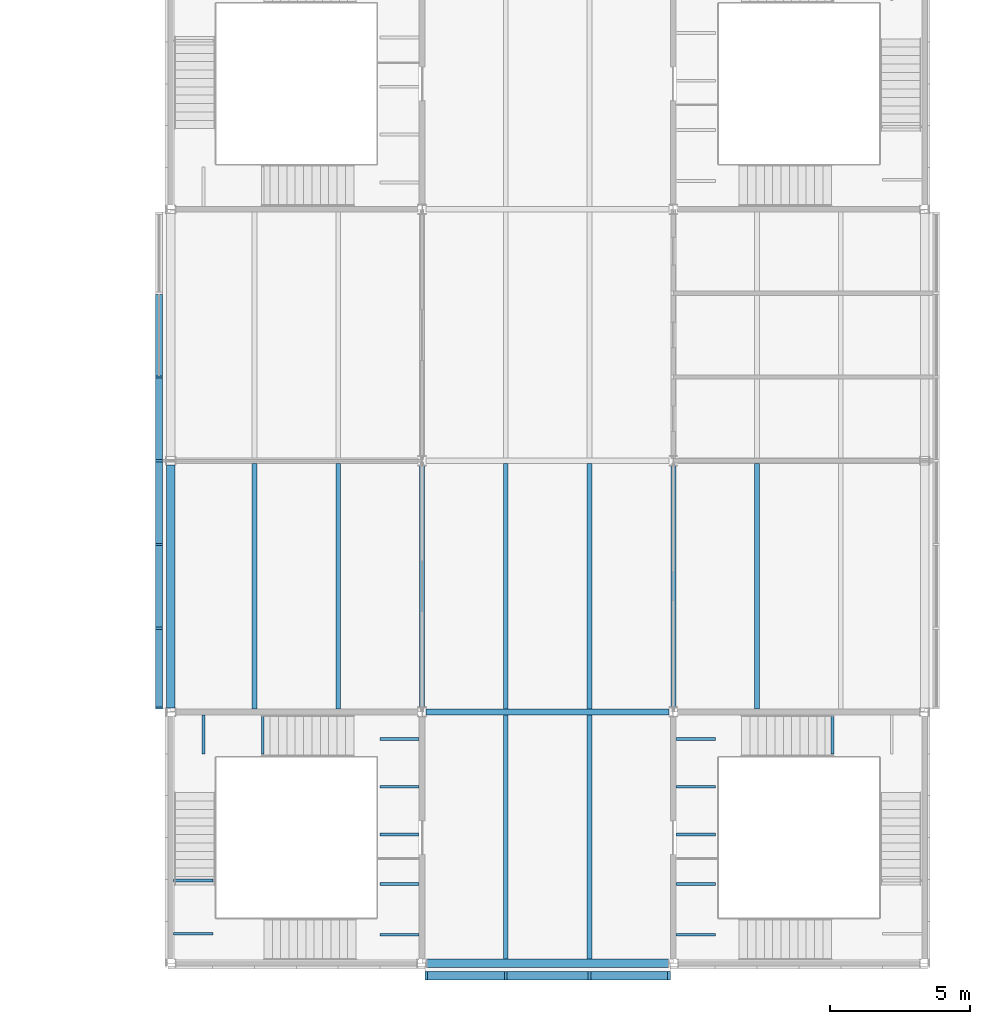
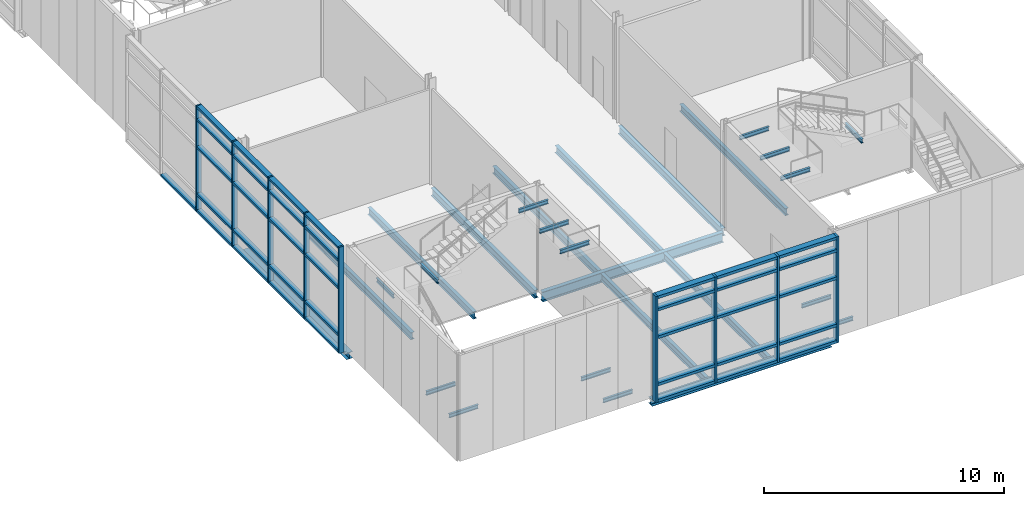
# One storey, part 9 of 52: 45 members, 27 beams, 2 elements without a shape of their own.
"""IFC4 building model written with IfcOpenShell, lengths in metres."""

from ifc_helpers import new_model, si_unit, direction, frame, origin, origin_2d, place, context, subcontext, project, spatial, rectangle, i_section, extrude, material, material_profile, profile_set, type_object, element, aggregate, save


model = new_model("IFC4")

# Units and contexts
model_context = context("Model", 3, precision=1e-05, world=origin(), true_north=direction((0.0, 1.0)))
body_context = subcontext(model_context, "Body", "Model", "MODEL_VIEW")
ifc_project = project(units=[si_unit("LENGTHUNIT", "METRE"), si_unit("AREAUNIT", "SQUARE_METRE"), si_unit("VOLUMEUNIT", "CUBIC_METRE"), si_unit("PLANEANGLEUNIT", "RADIAN"), si_unit("MASSUNIT", "GRAM", prefix="KILO")], contexts=[model_context])

# Site, building, storey
site_placement = place(None, origin())
site = spatial("IfcSite", under=ifc_project, at=site_placement, CompositionType="ELEMENT")
building_placement = place(site_placement, origin())
building = spatial("IfcBuilding", under=site, at=building_placement, Name="Azimuth Sports and Learning Centre", CompositionType="ELEMENT")
storey_placement = place(building_placement, frame((0.0, 0.0, 16.199951171875)))
storey = spatial("IfcBuildingStorey", under=building, at=storey_placement, Name="L03", CompositionType="ELEMENT", Elevation=16.199951171875)

# Beams
ifc_material_1 = material(Name="Steel S355", Category="steel")
ifc_material_profile_1 = material_profile(ifc_material_1, i_section(OverallWidth=0.10009765625, OverallDepth=0.199951171875, WebThickness=0.005615234375, FlangeThickness=0.008544921875, FilletRadius=0.011962890625, at=origin_2d()), Name="IPE 200")
ifc_profile_set_1 = profile_set([ifc_material_profile_1], Name="Steel S355")
beam_type_1 = type_object("IfcBeamType", Name="Beam IPE 200", PredefinedType="BEAM", material=ifc_profile_set_1)
for number, where, z_axis, x_axis, name in (
    (1, (80.89990234375, 1.02001953125, -0.300048828125), (-1.0, 0.0, 0.0), (0.0, -1.0, 0.0), "Landing bracket ST1 L03 1013"),
    (2, (80.89990234375, 2.840087890625, -0.300048828125), (-1.0, 0.0, 0.0), (0.0, -1.0, 0.0), "Landing bracket ST1 L03 1014"),
    (3, (72.10009765625, 1.06005859375, 1.5), (1.0, 0.0, 0.0), (0.0, 1.0, 0.0), "Landing bracket ST1 L03 1015"),
    (4, (72.10009765625, 2.9599609375, 1.5), (1.0, 0.0, 0.0), (0.0, 1.0, 0.0), "Landing bracket ST1 L03 1016"),
    (5, (73.172607421875, 8.89990234375, 3.300048828125), (0.0, -1.0, 0.0), (1.0, 0.0, 0.0), "Landing bracket ST1 L03 1017"),
    (6, (75.297607421875, 8.89990234375, 3.300048828125), (0.0, -1.0, 0.0), (1.0, 0.0, 0.0), "Landing bracket ST1 L03 1018"),
    (7, (80.89990234375, 4.606689453125, 5.10009765625), (-1.0, 0.0, 0.0), (0.0, -1.0, 0.0), "Landing bracket ST1 L03 1019"),
    (8, (80.89990234375, 6.320068359375, 5.10009765625), (-1.0, 0.0, 0.0), (0.0, -1.0, 0.0), "Landing bracket ST1 L03 1020"),
    (9, (80.89990234375, 8.033447265625, 5.10009765625), (-1.0, 0.0, 0.0), (0.0, -1.0, 0.0), "Landing bracket ST1 L03 1021"),
    (10, (90.10009765625, 1.02001953125, -0.300048828125), (1.0, 0.0, 0.0), (0.0, 1.0, 0.0), "Landing bracket ST2 L03 1050"),
    (11, (90.10009765625, 2.840087890625, -0.300048828125), (1.0, 0.0, 0.0), (0.0, 1.0, 0.0), "Landing bracket ST2 L03 1051"),
    (12, (95.702392578125, 8.89990234375, 3.300048828125), (0.0, -1.0, 0.0), (1.0, 0.0, 0.0), "Landing bracket ST2 L03 1054"),
    (13, (90.10009765625, 4.606689453125, 5.10009765625), (1.0, 0.0, 0.0), (0.0, 1.0, 0.0), "Landing bracket ST2 L03 1056"),
    (14, (90.10009765625, 6.320068359375, 5.10009765625), (1.0, 0.0, 0.0), (0.0, 1.0, 0.0), "Landing bracket ST2 L03 1057"),
    (15, (90.10009765625, 8.033447265625, 5.10009765625), (1.0, 0.0, 0.0), (0.0, 1.0, 0.0), "Landing bracket ST2 L03 1058"),
):
    element("IfcBeam", number, at=place(storey_placement, frame(where, z_axis=z_axis, x_axis=x_axis)), inside=storey, type_object=beam_type_1, Name=name, PredefinedType="BEAM", context=body_context, shape_type="SweptSolid", body=[
        extrude(i_section(OverallWidth=0.10009765625, OverallDepth=0.199951171875, WebThickness=0.005615234375, FlangeThickness=0.008544921875, FilletRadius=0.011962890625, at=origin_2d()), origin(), (0.0, 0.0, 1.0), 1.409912109375),
    ])
ifc_material_2 = material(Name="Steel S355", Category="steel")
ifc_material_profile_2 = material_profile(ifc_material_2, i_section(OverallWidth=0.179931640625, OverallDepth=0.39990234375, WebThickness=0.008544921875, FlangeThickness=0.013427734375, FilletRadius=0.02099609375, at=origin_2d()), Name="IPE 400")
ifc_profile_set_2 = profile_set([ifc_material_profile_2], Name="Steel S355")
beam_type_2 = type_object("IfcBeamType", Name="Beam IPE 400", PredefinedType="BEAM", material=ifc_profile_set_2)
for number, where, z_axis, x_axis, name in (
    (16, (81.0, 9.179931640625, -0.349853515625), (0.0, 1.0, 0.0), (-1.0, 0.0, 0.0), "Beam L03 ST 29"),
    (17, (90.0, 9.179931640625, -0.349853515625), (0.0, 1.0, 0.0), (-1.0, 0.0, 0.0), "Beam L03 ST 35"),
):
    element("IfcBeam", number, at=place(storey_placement, frame(where, z_axis=z_axis, x_axis=x_axis)), inside=storey, type_object=beam_type_2, Name=name, PredefinedType="BEAM", context=body_context, shape_type="SweptSolid", body=[
        extrude(i_section(OverallWidth=0.179931640625, OverallDepth=0.39990234375, WebThickness=0.008544921875, FlangeThickness=0.013427734375, FilletRadius=0.02099609375, at=origin_2d()), origin(), (0.0, 0.0, 1.0), 8.64013671875),
    ])
ifc_material_3 = material(Name="Steel S355", Category="steel")
ifc_material_profile_3 = material_profile(ifc_material_3, i_section(OverallWidth=0.199951171875, OverallDepth=0.5, WebThickness=0.01025390625, FlangeThickness=0.01611328125, FilletRadius=0.02099609375, at=origin_2d()), Name="IPE 500")
ifc_profile_set_3 = profile_set([ifc_material_profile_3], Name="Steel S355")
beam_type_3 = type_object("IfcBeamType", Name="Beam IPE 500", PredefinedType="BEAM", material=ifc_profile_set_3)
beam_1_placement = place(storey_placement, frame((81.14990234375, 9.0, -0.39990234375), z_axis=(1.0, 0.0, 0.0), x_axis=(0.0, 1.0, 0.0)))
element("IfcBeam", 18, at=beam_1_placement, inside=storey, type_object=beam_type_3, Name="Beam L03 ST 2", PredefinedType="BEAM", context=body_context, shape_type="SweptSolid", body=[
    extrude(i_section(OverallWidth=0.199951171875, OverallDepth=0.5, WebThickness=0.01025390625, FlangeThickness=0.01611328125, FilletRadius=0.02099609375, at=origin_2d()), origin(), (0.0, 0.0, 1.0), 8.7001953125),
])
ifc_material_4 = material(Name="Steel S355", Category="steel")
ifc_material_profile_4 = material_profile(ifc_material_4, i_section(OverallWidth=0.300048828125, OverallDepth=0.330078125, WebThickness=0.009521484375, FlangeThickness=0.0166015625, FilletRadius=0.027099609375, at=origin_2d()), Name="HEA 340")
ifc_profile_set_4 = profile_set([ifc_material_profile_4], Name="Steel S355")
beam_type_4 = type_object("IfcBeamType", Name="Edge beam HEA 340", PredefinedType="SPANDREL", material=ifc_profile_set_4)
beam_2_placement = place(storey_placement, frame((81.179931640625, 0.0, -0.31494140625), z_axis=(1.0, 0.0, 0.0), x_axis=(0.0, 1.0, 0.0)))
element("IfcBeam", 19, at=beam_2_placement, inside=storey, type_object=beam_type_4, Name="Edge beam L03 ST 1", PredefinedType="SPANDREL", context=body_context, shape_type="SweptSolid", body=[
    extrude(i_section(OverallWidth=0.300048828125, OverallDepth=0.330078125, WebThickness=0.009521484375, FlangeThickness=0.0166015625, FilletRadius=0.027099609375, at=origin_2d()), origin(), (0.0, 0.0, 1.0), 8.64013671875),
])
beam_3_placement = place(storey_placement, frame((72.0, 9.14990234375, -0.31494140625), z_axis=(0.0, 1.0, 0.0), x_axis=(-1.0, 0.0, 0.0)))
element("IfcBeam", 20, at=beam_3_placement, inside=storey, type_object=beam_type_4, Name="Edge beam L03 ST 21", PredefinedType="SPANDREL", context=body_context, shape_type="SweptSolid", body=[
    extrude(i_section(OverallWidth=0.300048828125, OverallDepth=0.330078125, WebThickness=0.009521484375, FlangeThickness=0.0166015625, FilletRadius=0.027099609375, at=origin_2d()), origin(), (0.0, 0.0, 1.0), 8.7001953125),
])
ifc_material_5 = material(Name="Steel S355", Category="steel")
ifc_material_profile_5 = material_profile(ifc_material_5, i_section(OverallWidth=0.169921875, OverallDepth=0.360107421875, WebThickness=0.008056640625, FlangeThickness=0.0126953125, FilletRadius=0.01806640625, at=origin_2d()), Name="IPE 360")
ifc_profile_set_5 = profile_set([ifc_material_profile_5], Name="Steel S355")
beam_type_5 = type_object("IfcBeamType", Name="Joist IPE 360", PredefinedType="JOIST", material=ifc_profile_set_5)
for number, where, z_axis, x_axis, name in (
    (21, (75.0, 9.10009765625, -0.329833984375), (0.0, 1.0, 0.0), (-1.0, 0.0, 0.0), "Joist L03 ST 48"),
    (22, (78.0, 9.10009765625, -0.329833984375), (0.0, 1.0, 0.0), (-1.0, 0.0, 0.0), "Joist L03 ST 56"),
):
    element("IfcBeam", number, at=place(storey_placement, frame(where, z_axis=z_axis, x_axis=x_axis)), inside=storey, type_object=beam_type_5, Name=name, PredefinedType="JOIST", context=body_context, shape_type="SweptSolid", body=[
        extrude(i_section(OverallWidth=0.169921875, OverallDepth=0.360107421875, WebThickness=0.008056640625, FlangeThickness=0.0126953125, FilletRadius=0.01806640625, at=origin_2d()), origin(), (0.0, 0.0, 1.0), 8.7998046875),
    ])
beam_4_placement = place(storey_placement, frame((84.0, 0.14990234375, -0.329833984375), z_axis=(0.0, 1.0, 0.0), x_axis=(-1.0, 0.0, 0.0)))
element("IfcBeam", 23, at=beam_4_placement, inside=storey, type_object=beam_type_5, Name="Joist L03 ST 64", PredefinedType="JOIST", context=body_context, shape_type="SweptSolid", body=[
    extrude(i_section(OverallWidth=0.169921875, OverallDepth=0.360107421875, WebThickness=0.008056640625, FlangeThickness=0.0126953125, FilletRadius=0.01806640625, at=origin_2d()), origin(), (0.0, 0.0, 1.0), 8.75),
])
beam_5_placement = place(storey_placement, frame((84.0, 9.10009765625, -0.329833984375), z_axis=(0.0, 1.0, 0.0), x_axis=(-1.0, 0.0, 0.0)))
element("IfcBeam", 24, at=beam_5_placement, inside=storey, type_object=beam_type_5, Name="Joist L03 ST 65", PredefinedType="JOIST", context=body_context, shape_type="SweptSolid", body=[
    extrude(i_section(OverallWidth=0.169921875, OverallDepth=0.360107421875, WebThickness=0.008056640625, FlangeThickness=0.0126953125, FilletRadius=0.01806640625, at=origin_2d()), origin(), (0.0, 0.0, 1.0), 8.7998046875),
])
beam_6_placement = place(storey_placement, frame((87.0, 0.14990234375, -0.329833984375), z_axis=(0.0, 1.0, 0.0), x_axis=(-1.0, 0.0, 0.0)))
element("IfcBeam", 25, at=beam_6_placement, inside=storey, type_object=beam_type_5, Name="Joist L03 ST 70", PredefinedType="JOIST", context=body_context, shape_type="SweptSolid", body=[
    extrude(i_section(OverallWidth=0.169921875, OverallDepth=0.360107421875, WebThickness=0.008056640625, FlangeThickness=0.0126953125, FilletRadius=0.01806640625, at=origin_2d()), origin(), (0.0, 0.0, 1.0), 8.75),
])
for number, where, z_axis, x_axis, name in (
    (26, (87.0, 9.10009765625, -0.329833984375), (0.0, 1.0, 0.0), (-1.0, 0.0, 0.0), "Joist L03 ST 71"),
    (27, (93.0, 9.10009765625, -0.329833984375), (0.0, 1.0, 0.0), (-1.0, 0.0, 0.0), "Joist L03 ST 76"),
):
    element("IfcBeam", number, at=place(storey_placement, frame(where, z_axis=z_axis, x_axis=x_axis)), inside=storey, type_object=beam_type_5, Name=name, PredefinedType="JOIST", context=body_context, shape_type="SweptSolid", body=[
        extrude(i_section(OverallWidth=0.169921875, OverallDepth=0.360107421875, WebThickness=0.008056640625, FlangeThickness=0.0126953125, FilletRadius=0.01806640625, at=origin_2d()), origin(), (0.0, 0.0, 1.0), 8.7998046875),
    ])

# Curtain wall, members
ifc_material_6 = material(Name="Aluminium and glass", Category="aluminium")
curtain_wall_type_1 = type_object("IfcCurtainWallType", Name="Curtain wall podium front 300", PredefinedType="NOTDEFINED", material=ifc_material_6)
curtain_wall_1_placement = place(storey_placement, origin())
curtain_wall_1 = element("IfcCurtainWall", 28, at=curtain_wall_1_placement, inside=storey, type_object=curtain_wall_type_1, Name="Curtain wall CW03-005", PredefinedType="NOTDEFINED")
ifc_material_7 = material(Name="Aluminium", Category="aluminium")
ifc_material_profile_6 = material_profile(ifc_material_7, rectangle(XDim=0.300048828125, YDim=0.10009765625, at=origin_2d()), Name="Mullion 100x300")
ifc_profile_set_6 = profile_set([ifc_material_profile_6], Name="Aluminium")
member_type_1 = type_object("IfcMemberType", Name="Mullion 100x300", PredefinedType="MULLION", material=ifc_profile_set_6)
member_1_placement = place(storey_placement, frame((81.14990234375, -0.449951171875, 0.0), z_axis=(0.0, 0.0, 1.0), x_axis=(0.0, 1.0, 0.0)))
member_1 = element("IfcMember", 29, at=member_1_placement, type_object=member_type_1, Name="CW03-005 mullion 1", PredefinedType="MULLION", context=body_context, shape_type="SweptSolid", body=[
    extrude(rectangle(XDim=0.300048828125, YDim=0.10009765625, at=origin_2d()), origin(), (0.0, 0.0, 1.0), 5.400146484375),
])
member_2_placement = place(storey_placement, frame((84.0, -0.449951171875, 0.0), z_axis=(0.0, 0.0, 1.0), x_axis=(0.0, 1.0, 0.0)))
member_2 = element("IfcMember", 30, at=member_2_placement, type_object=member_type_1, Name="CW03-005 mullion 2", PredefinedType="MULLION", context=body_context, shape_type="SweptSolid", body=[
    extrude(rectangle(XDim=0.300048828125, YDim=0.10009765625, at=origin_2d()), origin(), (0.0, 0.0, 1.0), 5.400146484375),
])
member_3_placement = place(storey_placement, frame((87.0, -0.449951171875, 0.0), z_axis=(0.0, 0.0, 1.0), x_axis=(0.0, 1.0, 0.0)))
member_3 = element("IfcMember", 31, at=member_3_placement, type_object=member_type_1, Name="CW03-005 mullion 3", PredefinedType="MULLION", context=body_context, shape_type="SweptSolid", body=[
    extrude(rectangle(XDim=0.300048828125, YDim=0.10009765625, at=origin_2d()), origin(), (0.0, 0.0, 1.0), 5.400146484375),
])
member_4_placement = place(storey_placement, frame((89.85009765625, -0.449951171875, 0.0), z_axis=(0.0, 0.0, 1.0), x_axis=(0.0, 1.0, 0.0)))
member_4 = element("IfcMember", 32, at=member_4_placement, type_object=member_type_1, Name="CW03-005 mullion 4", PredefinedType="MULLION", context=body_context, shape_type="SweptSolid", body=[
    extrude(rectangle(XDim=0.300048828125, YDim=0.10009765625, at=origin_2d()), origin(), (0.0, 0.0, 1.0), 5.400146484375),
])

ifc_material_8 = material(Name="Aluminium and glass", Category="aluminium")
curtain_wall_type_2 = type_object("IfcCurtainWallType", Name="Curtain wall podium stem 240", PredefinedType="NOTDEFINED", material=ifc_material_8)
curtain_wall_2_placement = place(storey_placement, origin())
curtain_wall_2 = element("IfcCurtainWall", 33, at=curtain_wall_2_placement, inside=storey, type_object=curtain_wall_type_2, Name="Curtain wall CW03-004", PredefinedType="NOTDEFINED")
ifc_material_9 = material(Name="Aluminium", Category="aluminium")
ifc_material_profile_7 = material_profile(ifc_material_9, rectangle(XDim=0.239990234375, YDim=0.080078125, at=origin_2d()), Name="Mullion 80x240")
ifc_profile_set_7 = profile_set([ifc_material_profile_7], Name="Aluminium")
member_type_2 = type_object("IfcMemberType", Name="Mullion 80x240", PredefinedType="MULLION", material=ifc_profile_set_7)
member_5_placement = place(storey_placement, frame((71.580078125, 21.0, 0.0), z_axis=(0.0, 0.0, 1.0), x_axis=(1.0, 0.0, 0.0)))
member_5 = element("IfcMember", 34, at=member_5_placement, type_object=member_type_2, Name="CW03-004 mullion 3", PredefinedType="MULLION", context=body_context, shape_type="SweptSolid", body=[
    extrude(rectangle(XDim=0.239990234375, YDim=0.080078125, at=origin_2d()), origin(), (0.0, 0.0, 1.0), 5.400146484375),
])
member_6_placement = place(storey_placement, frame((71.580078125, 18.0, 0.0), z_axis=(0.0, 0.0, 1.0), x_axis=(1.0, 0.0, 0.0)))
member_6 = element("IfcMember", 35, at=member_6_placement, type_object=member_type_2, Name="CW03-004 mullion 4", PredefinedType="MULLION", context=body_context, shape_type="SweptSolid", body=[
    extrude(rectangle(XDim=0.239990234375, YDim=0.080078125, at=origin_2d()), origin(), (0.0, 0.0, 1.0), 5.400146484375),
])
member_7_placement = place(storey_placement, frame((71.580078125, 15.0, 0.0), z_axis=(0.0, 0.0, 1.0), x_axis=(1.0, 0.0, 0.0)))
member_7 = element("IfcMember", 36, at=member_7_placement, type_object=member_type_2, Name="CW03-004 mullion 5", PredefinedType="MULLION", context=body_context, shape_type="SweptSolid", body=[
    extrude(rectangle(XDim=0.239990234375, YDim=0.080078125, at=origin_2d()), origin(), (0.0, 0.0, 1.0), 5.400146484375),
])
member_8_placement = place(storey_placement, frame((71.580078125, 12.0, 0.0), z_axis=(0.0, 0.0, 1.0), x_axis=(1.0, 0.0, 0.0)))
member_8 = element("IfcMember", 37, at=member_8_placement, type_object=member_type_2, Name="CW03-004 mullion 6", PredefinedType="MULLION", context=body_context, shape_type="SweptSolid", body=[
    extrude(rectangle(XDim=0.239990234375, YDim=0.080078125, at=origin_2d()), origin(), (0.0, 0.0, 1.0), 5.400146484375),
])
member_9_placement = place(storey_placement, frame((71.580078125, 9.139892578125, 0.0), z_axis=(0.0, 0.0, 1.0), x_axis=(1.0, 0.0, 0.0)))
member_9 = element("IfcMember", 38, at=member_9_placement, type_object=member_type_2, Name="CW03-004 mullion 7", PredefinedType="MULLION", context=body_context, shape_type="SweptSolid", body=[
    extrude(rectangle(XDim=0.239990234375, YDim=0.080078125, at=origin_2d()), origin(), (0.0, 0.0, 1.0), 5.400146484375),
])
ifc_material_10 = material(Name="Aluminium", Category="aluminium")
ifc_material_profile_8 = material_profile(ifc_material_10, rectangle(XDim=0.239990234375, YDim=0.1201171875, at=origin_2d()), Name="Transom 120x240")
ifc_profile_set_8 = profile_set([ifc_material_profile_8], Name="Aluminium")
member_type_3 = type_object("IfcMemberType", Name="Transom 120x240", PredefinedType="USERDEFINED", material=ifc_profile_set_8)
member_10_placement = place(storey_placement, frame((71.580078125, 23.9599609375, 0.06005859375), z_axis=(0.0, -1.0, 0.0), x_axis=(1.0, 0.0, 0.0)))
member_10 = element("IfcMember", 39, at=member_10_placement, type_object=member_type_3, Name="CW03-004 transom 2.1", ObjectType="TRANSOM", PredefinedType="USERDEFINED", context=body_context, shape_type="SweptSolid", body=[
    extrude(rectangle(XDim=0.239990234375, YDim=0.1201171875, at=origin_2d()), origin(), (0.0, 0.0, 1.0), 2.919921875),
])
member_11_placement = place(storey_placement, frame((71.580078125, 20.9599609375, 0.06005859375), z_axis=(0.0, -1.0, 0.0), x_axis=(1.0, 0.0, 0.0)))
member_11 = element("IfcMember", 40, at=member_11_placement, type_object=member_type_3, Name="CW03-004 transom 3.1", ObjectType="TRANSOM", PredefinedType="USERDEFINED", context=body_context, shape_type="SweptSolid", body=[
    extrude(rectangle(XDim=0.239990234375, YDim=0.1201171875, at=origin_2d()), origin(), (0.0, 0.0, 1.0), 2.919921875),
])
member_12_placement = place(storey_placement, frame((71.580078125, 20.9599609375, 0.900146484375), z_axis=(0.0, -1.0, 0.0), x_axis=(1.0, 0.0, 0.0)))
member_12 = element("IfcMember", 41, at=member_12_placement, type_object=member_type_3, Name="CW03-004 transom 3.2", ObjectType="TRANSOM", PredefinedType="USERDEFINED", context=body_context, shape_type="SweptSolid", body=[
    extrude(rectangle(XDim=0.239990234375, YDim=0.1201171875, at=origin_2d()), origin(), (0.0, 0.0, 1.0), 2.919921875),
])
member_13_placement = place(storey_placement, frame((71.580078125, 20.9599609375, 3.300048828125), z_axis=(0.0, -1.0, 0.0), x_axis=(1.0, 0.0, 0.0)))
member_13 = element("IfcMember", 42, at=member_13_placement, type_object=member_type_3, Name="CW03-004 transom 3.3", ObjectType="TRANSOM", PredefinedType="USERDEFINED", context=body_context, shape_type="SweptSolid", body=[
    extrude(rectangle(XDim=0.239990234375, YDim=0.1201171875, at=origin_2d()), origin(), (0.0, 0.0, 1.0), 2.919921875),
])
member_14_placement = place(storey_placement, frame((71.580078125, 20.9599609375, 4.699951171875), z_axis=(0.0, -1.0, 0.0), x_axis=(1.0, 0.0, 0.0)))
member_14 = element("IfcMember", 43, at=member_14_placement, type_object=member_type_3, Name="CW03-004 transom 3.4", ObjectType="TRANSOM", PredefinedType="USERDEFINED", context=body_context, shape_type="SweptSolid", body=[
    extrude(rectangle(XDim=0.239990234375, YDim=0.1201171875, at=origin_2d()), origin(), (0.0, 0.0, 1.0), 2.919921875),
])
member_15_placement = place(storey_placement, frame((71.580078125, 20.9599609375, 5.340087890625), z_axis=(0.0, -1.0, 0.0), x_axis=(1.0, 0.0, 0.0)))
member_15 = element("IfcMember", 44, at=member_15_placement, type_object=member_type_3, Name="CW03-004 transom 3.5", ObjectType="TRANSOM", PredefinedType="USERDEFINED", context=body_context, shape_type="SweptSolid", body=[
    extrude(rectangle(XDim=0.239990234375, YDim=0.1201171875, at=origin_2d()), origin(), (0.0, 0.0, 1.0), 2.919921875),
])
member_16_placement = place(storey_placement, frame((71.580078125, 17.9599609375, 0.06005859375), z_axis=(0.0, -1.0, 0.0), x_axis=(1.0, 0.0, 0.0)))
member_16 = element("IfcMember", 45, at=member_16_placement, type_object=member_type_3, Name="CW03-004 transom 4.1", ObjectType="TRANSOM", PredefinedType="USERDEFINED", context=body_context, shape_type="SweptSolid", body=[
    extrude(rectangle(XDim=0.239990234375, YDim=0.1201171875, at=origin_2d()), origin(), (0.0, 0.0, 1.0), 2.919921875),
])
member_17_placement = place(storey_placement, frame((71.580078125, 17.9599609375, 0.900146484375), z_axis=(0.0, -1.0, 0.0), x_axis=(1.0, 0.0, 0.0)))
member_17 = element("IfcMember", 46, at=member_17_placement, type_object=member_type_3, Name="CW03-004 transom 4.2", ObjectType="TRANSOM", PredefinedType="USERDEFINED", context=body_context, shape_type="SweptSolid", body=[
    extrude(rectangle(XDim=0.239990234375, YDim=0.1201171875, at=origin_2d()), origin(), (0.0, 0.0, 1.0), 2.919921875),
])
member_18_placement = place(storey_placement, frame((71.580078125, 17.9599609375, 3.300048828125), z_axis=(0.0, -1.0, 0.0), x_axis=(1.0, 0.0, 0.0)))
member_18 = element("IfcMember", 47, at=member_18_placement, type_object=member_type_3, Name="CW03-004 transom 4.3", ObjectType="TRANSOM", PredefinedType="USERDEFINED", context=body_context, shape_type="SweptSolid", body=[
    extrude(rectangle(XDim=0.239990234375, YDim=0.1201171875, at=origin_2d()), origin(), (0.0, 0.0, 1.0), 2.919921875),
])
member_19_placement = place(storey_placement, frame((71.580078125, 17.9599609375, 4.699951171875), z_axis=(0.0, -1.0, 0.0), x_axis=(1.0, 0.0, 0.0)))
member_19 = element("IfcMember", 48, at=member_19_placement, type_object=member_type_3, Name="CW03-004 transom 4.4", ObjectType="TRANSOM", PredefinedType="USERDEFINED", context=body_context, shape_type="SweptSolid", body=[
    extrude(rectangle(XDim=0.239990234375, YDim=0.1201171875, at=origin_2d()), origin(), (0.0, 0.0, 1.0), 2.919921875),
])
member_20_placement = place(storey_placement, frame((71.580078125, 17.9599609375, 5.340087890625), z_axis=(0.0, -1.0, 0.0), x_axis=(1.0, 0.0, 0.0)))
member_20 = element("IfcMember", 49, at=member_20_placement, type_object=member_type_3, Name="CW03-004 transom 4.5", ObjectType="TRANSOM", PredefinedType="USERDEFINED", context=body_context, shape_type="SweptSolid", body=[
    extrude(rectangle(XDim=0.239990234375, YDim=0.1201171875, at=origin_2d()), origin(), (0.0, 0.0, 1.0), 2.919921875),
])
member_21_placement = place(storey_placement, frame((71.580078125, 14.9599609375, 0.06005859375), z_axis=(0.0, -1.0, 0.0), x_axis=(1.0, 0.0, 0.0)))
member_21 = element("IfcMember", 50, at=member_21_placement, type_object=member_type_3, Name="CW03-004 transom 5.1", ObjectType="TRANSOM", PredefinedType="USERDEFINED", context=body_context, shape_type="SweptSolid", body=[
    extrude(rectangle(XDim=0.239990234375, YDim=0.1201171875, at=origin_2d()), origin(), (0.0, 0.0, 1.0), 2.919921875),
])
member_22_placement = place(storey_placement, frame((71.580078125, 14.9599609375, 0.900146484375), z_axis=(0.0, -1.0, 0.0), x_axis=(1.0, 0.0, 0.0)))
member_22 = element("IfcMember", 51, at=member_22_placement, type_object=member_type_3, Name="CW03-004 transom 5.2", ObjectType="TRANSOM", PredefinedType="USERDEFINED", context=body_context, shape_type="SweptSolid", body=[
    extrude(rectangle(XDim=0.239990234375, YDim=0.1201171875, at=origin_2d()), origin(), (0.0, 0.0, 1.0), 2.919921875),
])
member_23_placement = place(storey_placement, frame((71.580078125, 14.9599609375, 3.300048828125), z_axis=(0.0, -1.0, 0.0), x_axis=(1.0, 0.0, 0.0)))
member_23 = element("IfcMember", 52, at=member_23_placement, type_object=member_type_3, Name="CW03-004 transom 5.3", ObjectType="TRANSOM", PredefinedType="USERDEFINED", context=body_context, shape_type="SweptSolid", body=[
    extrude(rectangle(XDim=0.239990234375, YDim=0.1201171875, at=origin_2d()), origin(), (0.0, 0.0, 1.0), 2.919921875),
])
member_24_placement = place(storey_placement, frame((71.580078125, 14.9599609375, 4.699951171875), z_axis=(0.0, -1.0, 0.0), x_axis=(1.0, 0.0, 0.0)))
member_24 = element("IfcMember", 53, at=member_24_placement, type_object=member_type_3, Name="CW03-004 transom 5.4", ObjectType="TRANSOM", PredefinedType="USERDEFINED", context=body_context, shape_type="SweptSolid", body=[
    extrude(rectangle(XDim=0.239990234375, YDim=0.1201171875, at=origin_2d()), origin(), (0.0, 0.0, 1.0), 2.919921875),
])
member_25_placement = place(storey_placement, frame((71.580078125, 14.9599609375, 5.340087890625), z_axis=(0.0, -1.0, 0.0), x_axis=(1.0, 0.0, 0.0)))
member_25 = element("IfcMember", 54, at=member_25_placement, type_object=member_type_3, Name="CW03-004 transom 5.5", ObjectType="TRANSOM", PredefinedType="USERDEFINED", context=body_context, shape_type="SweptSolid", body=[
    extrude(rectangle(XDim=0.239990234375, YDim=0.1201171875, at=origin_2d()), origin(), (0.0, 0.0, 1.0), 2.919921875),
])
member_26_placement = place(storey_placement, frame((71.580078125, 11.9599609375, 0.06005859375), z_axis=(0.0, -1.0, 0.0), x_axis=(1.0, 0.0, 0.0)))
member_26 = element("IfcMember", 55, at=member_26_placement, type_object=member_type_3, Name="CW03-004 transom 6.1", ObjectType="TRANSOM", PredefinedType="USERDEFINED", context=body_context, shape_type="SweptSolid", body=[
    extrude(rectangle(XDim=0.239990234375, YDim=0.1201171875, at=origin_2d()), origin(), (0.0, 0.0, 1.0), 2.780029296875),
])
member_27_placement = place(storey_placement, frame((71.580078125, 11.9599609375, 0.900146484375), z_axis=(0.0, -1.0, 0.0), x_axis=(1.0, 0.0, 0.0)))
member_27 = element("IfcMember", 56, at=member_27_placement, type_object=member_type_3, Name="CW03-004 transom 6.2", ObjectType="TRANSOM", PredefinedType="USERDEFINED", context=body_context, shape_type="SweptSolid", body=[
    extrude(rectangle(XDim=0.239990234375, YDim=0.1201171875, at=origin_2d()), origin(), (0.0, 0.0, 1.0), 2.780029296875),
])
member_28_placement = place(storey_placement, frame((71.580078125, 11.9599609375, 3.300048828125), z_axis=(0.0, -1.0, 0.0), x_axis=(1.0, 0.0, 0.0)))
member_28 = element("IfcMember", 57, at=member_28_placement, type_object=member_type_3, Name="CW03-004 transom 6.3", ObjectType="TRANSOM", PredefinedType="USERDEFINED", context=body_context, shape_type="SweptSolid", body=[
    extrude(rectangle(XDim=0.239990234375, YDim=0.1201171875, at=origin_2d()), origin(), (0.0, 0.0, 1.0), 2.780029296875),
])
member_29_placement = place(storey_placement, frame((71.580078125, 11.9599609375, 4.699951171875), z_axis=(0.0, -1.0, 0.0), x_axis=(1.0, 0.0, 0.0)))
member_29 = element("IfcMember", 58, at=member_29_placement, type_object=member_type_3, Name="CW03-004 transom 6.4", ObjectType="TRANSOM", PredefinedType="USERDEFINED", context=body_context, shape_type="SweptSolid", body=[
    extrude(rectangle(XDim=0.239990234375, YDim=0.1201171875, at=origin_2d()), origin(), (0.0, 0.0, 1.0), 2.780029296875),
])
member_30_placement = place(storey_placement, frame((71.580078125, 11.9599609375, 5.340087890625), z_axis=(0.0, -1.0, 0.0), x_axis=(1.0, 0.0, 0.0)))
member_30 = element("IfcMember", 59, at=member_30_placement, type_object=member_type_3, Name="CW03-004 transom 6.5", ObjectType="TRANSOM", PredefinedType="USERDEFINED", context=body_context, shape_type="SweptSolid", body=[
    extrude(rectangle(XDim=0.239990234375, YDim=0.1201171875, at=origin_2d()), origin(), (0.0, 0.0, 1.0), 2.780029296875),
])
aggregate(curtain_wall_2, [member_5, member_6, member_7, member_8, member_9, member_10, member_11, member_12, member_13, member_14, member_15, member_16, member_17, member_18, member_19, member_20, member_21, member_22, member_23, member_24, member_25, member_26, member_27, member_28, member_29, member_30])

# Member
ifc_material_11 = material(Name="Aluminium", Category="aluminium")
ifc_material_profile_9 = material_profile(ifc_material_11, rectangle(XDim=0.300048828125, YDim=0.139892578125, at=origin_2d()), Name="Transom 140x300")
ifc_profile_set_9 = profile_set([ifc_material_profile_9], Name="Aluminium")
member_type_4 = type_object("IfcMemberType", Name="Transom 140x300", PredefinedType="USERDEFINED", material=ifc_profile_set_9)
member_31_placement = place(storey_placement, frame((81.199951171875, -0.449951171875, 0.070068359375), z_axis=(1.0, 0.0, 0.0), x_axis=(0.0, 1.0, 0.0)))
member_31 = element("IfcMember", 60, at=member_31_placement, type_object=member_type_4, Name="CW03-005 transom 1.1", ObjectType="TRANSOM", PredefinedType="USERDEFINED", context=body_context, shape_type="SweptSolid", body=[
    extrude(rectangle(XDim=0.300048828125, YDim=0.139892578125, at=origin_2d()), origin(), (0.0, 0.0, 1.0), 2.75),
])

member_32_placement = place(storey_placement, frame((81.199951171875, -0.449951171875, 0.900146484375), z_axis=(1.0, 0.0, 0.0), x_axis=(0.0, 1.0, 0.0)))
member_32 = element("IfcMember", 61, at=member_32_placement, type_object=member_type_4, Name="CW03-005 transom 1.2", ObjectType="TRANSOM", PredefinedType="USERDEFINED", context=body_context, shape_type="SweptSolid", body=[
    extrude(rectangle(XDim=0.300048828125, YDim=0.139892578125, at=origin_2d()), origin(), (0.0, 0.0, 1.0), 2.75),
])

member_33_placement = place(storey_placement, frame((81.199951171875, -0.449951171875, 3.300048828125), z_axis=(1.0, 0.0, 0.0), x_axis=(0.0, 1.0, 0.0)))
member_33 = element("IfcMember", 62, at=member_33_placement, type_object=member_type_4, Name="CW03-005 transom 1.3", ObjectType="TRANSOM", PredefinedType="USERDEFINED", context=body_context, shape_type="SweptSolid", body=[
    extrude(rectangle(XDim=0.300048828125, YDim=0.139892578125, at=origin_2d()), origin(), (0.0, 0.0, 1.0), 2.75),
])

member_34_placement = place(storey_placement, frame((81.199951171875, -0.449951171875, 4.699951171875), z_axis=(1.0, 0.0, 0.0), x_axis=(0.0, 1.0, 0.0)))
member_34 = element("IfcMember", 63, at=member_34_placement, type_object=member_type_4, Name="CW03-005 transom 1.4", ObjectType="TRANSOM", PredefinedType="USERDEFINED", context=body_context, shape_type="SweptSolid", body=[
    extrude(rectangle(XDim=0.300048828125, YDim=0.139892578125, at=origin_2d()), origin(), (0.0, 0.0, 1.0), 2.75),
])

member_35_placement = place(storey_placement, frame((81.199951171875, -0.449951171875, 5.330078125), z_axis=(1.0, 0.0, 0.0), x_axis=(0.0, 1.0, 0.0)))
member_35 = element("IfcMember", 64, at=member_35_placement, type_object=member_type_4, Name="CW03-005 transom 1.5", ObjectType="TRANSOM", PredefinedType="USERDEFINED", context=body_context, shape_type="SweptSolid", body=[
    extrude(rectangle(XDim=0.300048828125, YDim=0.139892578125, at=origin_2d()), origin(), (0.0, 0.0, 1.0), 2.75),
])

member_36_placement = place(storey_placement, frame((84.050048828125, -0.449951171875, 0.070068359375), z_axis=(1.0, 0.0, 0.0), x_axis=(0.0, 1.0, 0.0)))
member_36 = element("IfcMember", 65, at=member_36_placement, type_object=member_type_4, Name="CW03-005 transom 2.1", ObjectType="TRANSOM", PredefinedType="USERDEFINED", context=body_context, shape_type="SweptSolid", body=[
    extrude(rectangle(XDim=0.300048828125, YDim=0.139892578125, at=origin_2d()), origin(), (0.0, 0.0, 1.0), 2.89990234375),
])

member_37_placement = place(storey_placement, frame((84.050048828125, -0.449951171875, 0.900146484375), z_axis=(1.0, 0.0, 0.0), x_axis=(0.0, 1.0, 0.0)))
member_37 = element("IfcMember", 66, at=member_37_placement, type_object=member_type_4, Name="CW03-005 transom 2.2", ObjectType="TRANSOM", PredefinedType="USERDEFINED", context=body_context, shape_type="SweptSolid", body=[
    extrude(rectangle(XDim=0.300048828125, YDim=0.139892578125, at=origin_2d()), origin(), (0.0, 0.0, 1.0), 2.89990234375),
])

member_38_placement = place(storey_placement, frame((84.050048828125, -0.449951171875, 3.300048828125), z_axis=(1.0, 0.0, 0.0), x_axis=(0.0, 1.0, 0.0)))
member_38 = element("IfcMember", 67, at=member_38_placement, type_object=member_type_4, Name="CW03-005 transom 2.3", ObjectType="TRANSOM", PredefinedType="USERDEFINED", context=body_context, shape_type="SweptSolid", body=[
    extrude(rectangle(XDim=0.300048828125, YDim=0.139892578125, at=origin_2d()), origin(), (0.0, 0.0, 1.0), 2.89990234375),
])

member_39_placement = place(storey_placement, frame((84.050048828125, -0.449951171875, 4.699951171875), z_axis=(1.0, 0.0, 0.0), x_axis=(0.0, 1.0, 0.0)))
member_39 = element("IfcMember", 68, at=member_39_placement, type_object=member_type_4, Name="CW03-005 transom 2.4", ObjectType="TRANSOM", PredefinedType="USERDEFINED", context=body_context, shape_type="SweptSolid", body=[
    extrude(rectangle(XDim=0.300048828125, YDim=0.139892578125, at=origin_2d()), origin(), (0.0, 0.0, 1.0), 2.89990234375),
])

member_40_placement = place(storey_placement, frame((84.050048828125, -0.449951171875, 5.330078125), z_axis=(1.0, 0.0, 0.0), x_axis=(0.0, 1.0, 0.0)))
member_40 = element("IfcMember", 69, at=member_40_placement, type_object=member_type_4, Name="CW03-005 transom 2.5", ObjectType="TRANSOM", PredefinedType="USERDEFINED", context=body_context, shape_type="SweptSolid", body=[
    extrude(rectangle(XDim=0.300048828125, YDim=0.139892578125, at=origin_2d()), origin(), (0.0, 0.0, 1.0), 2.89990234375),
])

member_41_placement = place(storey_placement, frame((87.050048828125, -0.449951171875, 0.070068359375), z_axis=(1.0, 0.0, 0.0), x_axis=(0.0, 1.0, 0.0)))
member_41 = element("IfcMember", 70, at=member_41_placement, type_object=member_type_4, Name="CW03-005 transom 3.1", ObjectType="TRANSOM", PredefinedType="USERDEFINED", context=body_context, shape_type="SweptSolid", body=[
    extrude(rectangle(XDim=0.300048828125, YDim=0.139892578125, at=origin_2d()), origin(), (0.0, 0.0, 1.0), 2.75),
])

member_42_placement = place(storey_placement, frame((87.050048828125, -0.449951171875, 0.900146484375), z_axis=(1.0, 0.0, 0.0), x_axis=(0.0, 1.0, 0.0)))
member_42 = element("IfcMember", 71, at=member_42_placement, type_object=member_type_4, Name="CW03-005 transom 3.2", ObjectType="TRANSOM", PredefinedType="USERDEFINED", context=body_context, shape_type="SweptSolid", body=[
    extrude(rectangle(XDim=0.300048828125, YDim=0.139892578125, at=origin_2d()), origin(), (0.0, 0.0, 1.0), 2.75),
])

member_43_placement = place(storey_placement, frame((87.050048828125, -0.449951171875, 3.300048828125), z_axis=(1.0, 0.0, 0.0), x_axis=(0.0, 1.0, 0.0)))
member_43 = element("IfcMember", 72, at=member_43_placement, type_object=member_type_4, Name="CW03-005 transom 3.3", ObjectType="TRANSOM", PredefinedType="USERDEFINED", context=body_context, shape_type="SweptSolid", body=[
    extrude(rectangle(XDim=0.300048828125, YDim=0.139892578125, at=origin_2d()), origin(), (0.0, 0.0, 1.0), 2.75),
])

member_44_placement = place(storey_placement, frame((87.050048828125, -0.449951171875, 4.699951171875), z_axis=(1.0, 0.0, 0.0), x_axis=(0.0, 1.0, 0.0)))
member_44 = element("IfcMember", 73, at=member_44_placement, type_object=member_type_4, Name="CW03-005 transom 3.4", ObjectType="TRANSOM", PredefinedType="USERDEFINED", context=body_context, shape_type="SweptSolid", body=[
    extrude(rectangle(XDim=0.300048828125, YDim=0.139892578125, at=origin_2d()), origin(), (0.0, 0.0, 1.0), 2.75),
])

member_45_placement = place(storey_placement, frame((87.050048828125, -0.449951171875, 5.330078125), z_axis=(1.0, 0.0, 0.0), x_axis=(0.0, 1.0, 0.0)))
member_45 = element("IfcMember", 74, at=member_45_placement, type_object=member_type_4, Name="CW03-005 transom 3.5", ObjectType="TRANSOM", PredefinedType="USERDEFINED", context=body_context, shape_type="SweptSolid", body=[
    extrude(rectangle(XDim=0.300048828125, YDim=0.139892578125, at=origin_2d()), origin(), (0.0, 0.0, 1.0), 2.75),
])

aggregate(curtain_wall_1, [member_1, member_2, member_3, member_4, member_31, member_32, member_33, member_34, member_35, member_36, member_37, member_38, member_39, member_40, member_41, member_42, member_43, member_44, member_45])

save(model, "model.ifc")
